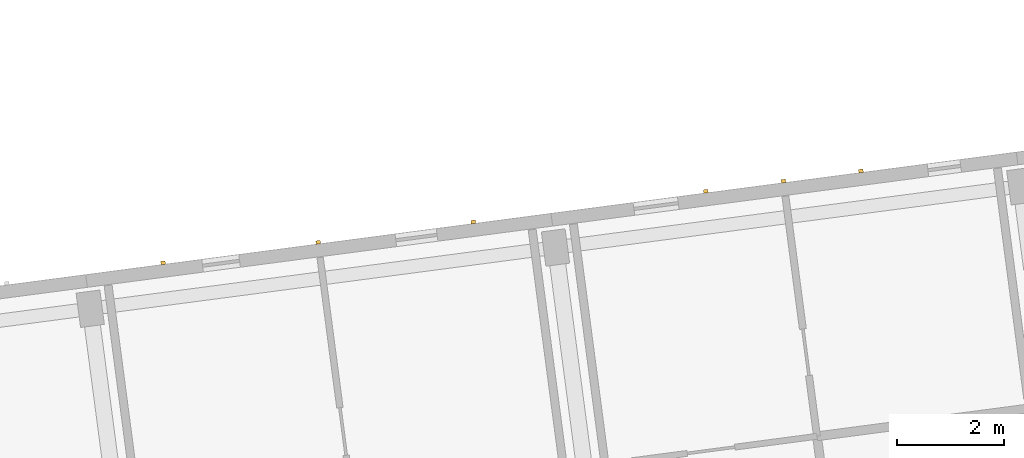
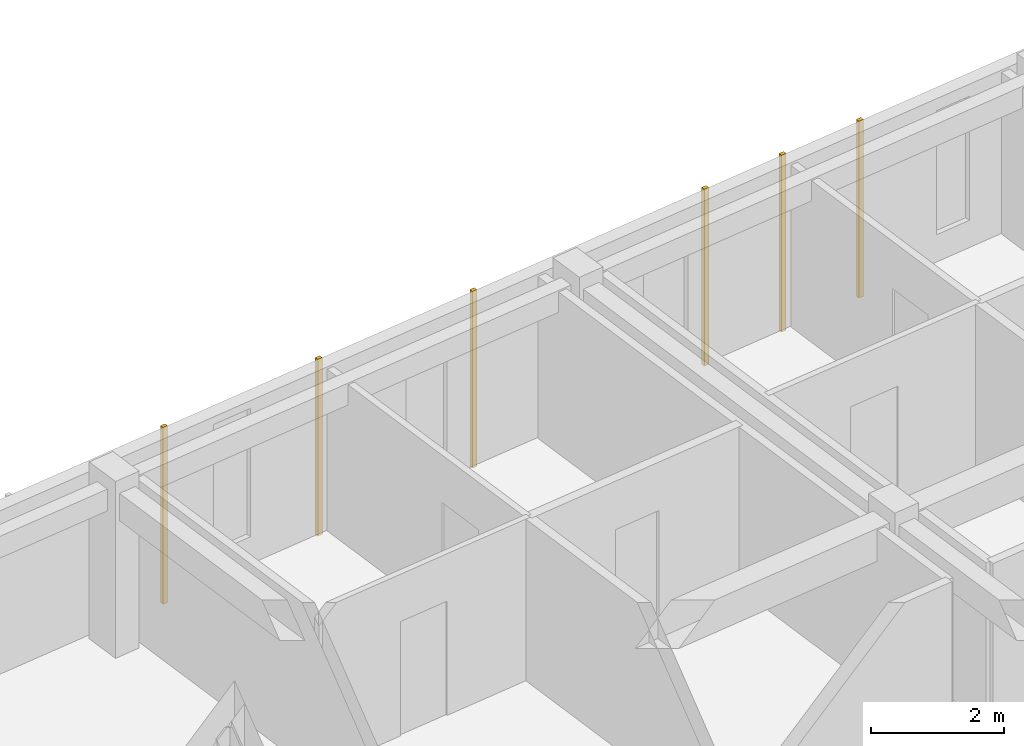
# One storey, part 41 of 56: 6 coverings.
"""IFC4 building model written with IfcOpenShell, lengths in metres."""

from ifc_helpers import new_model, si_unit, direction, frame, origin, origin_2d, place, context, subcontext, project, spatial, rectangle, extrude, material, layer, layer_set, type_object, element, save


model = new_model("IFC4")

# Units and contexts
model_context = context("Model", 3, precision=1e-05, world=origin(), true_north=direction((0.0, 1.0)))
body_context = subcontext(model_context, "Body", "Model", "MODEL_VIEW")
ifc_project = project(units=[si_unit("LENGTHUNIT", "METRE"), si_unit("AREAUNIT", "SQUARE_METRE"), si_unit("VOLUMEUNIT", "CUBIC_METRE"), si_unit("PLANEANGLEUNIT", "RADIAN"), si_unit("MASSUNIT", "GRAM", prefix="KILO")], contexts=[model_context])

# Site, building, storey
site_placement = place(None, origin())
site = spatial("IfcSite", under=ifc_project, at=site_placement, CompositionType="ELEMENT")
building_placement = place(site_placement, origin())
building = spatial("IfcBuilding", under=site, at=building_placement, Name="Kestramere Prow Commons", CompositionType="ELEMENT")
storey_placement = place(building_placement, frame((0.0, 0.0, 27.89990234375)))
storey = spatial("IfcBuildingStorey", under=building, at=storey_placement, Name="L08", CompositionType="ELEMENT", Elevation=27.89990234375)

# Coverings
ifc_material = material(Name="Weathered Zinc-Titanium Standing-Seam Cladding")
ifc_layer = layer(ifc_material, 0.074951171875)
ifc_layer_set = layer_set([ifc_layer], Name="Weathered Zinc-Titanium Standing-Seam Cladding")
covering_type = type_object("IfcCoveringType", Name="COV-CLAD-SEAM", PredefinedType="CLADDING", material=ifc_layer_set)
for number, where, z_axis, x_axis, name in (
    (1, (36.12939453125, 96.137939453125, -0.25), (0.0, 0.0, 1.0), (0.991444861374, 0.13052619222, 0.0), "EW-A-L08-N-3 Standing-Seam Rib 1"),
    (2, (39.03759765625, 96.520751953125, -0.25), (0.0, 0.0, 1.0), (0.991444861374, 0.13052619222, 0.0), "EW-A-L08-N-3 Standing-Seam Rib 3"),
    (3, (41.94580078125, 96.903564453125, -0.25), (0.0, 0.0, 1.0), (0.991444861374, 0.13052619222, 0.0), "EW-A-L08-N-3 Standing-Seam Rib 5"),
    (4, (46.30810546875, 97.47802734375, -0.25), (0.0, 0.0, 1.0), (0.991444861374, 0.13052619222, 0.0), "EW-A-L08-N-4 Standing-Seam Rib 2"),
    (5, (47.76220703125, 97.66943359375, -0.25), (0.0, 0.0, 1.0), (0.991444861374, 0.13052619222, 0.0), "EW-A-L08-N-4 Standing-Seam Rib 3"),
    (6, (49.21630859375, 97.86083984375, -0.25), (0.0, 0.0, 1.0), (0.991444861374, 0.13052619222, 0.0), "EW-A-L08-N-4 Standing-Seam Rib 4"),
):
    element("IfcCovering", number, at=place(storey_placement, frame(where, z_axis=z_axis, x_axis=x_axis)), inside=storey, type_object=covering_type, Name=name, PredefinedType="CLADDING", context=body_context, shape_type="SweptSolid", body=[
        extrude(rectangle(XDim=0.0849609375, YDim=0.06494140625, at=origin_2d()), origin(), (0.0, 0.0, 1.0), 3.25),
    ])

save(model, "model.ifc")
